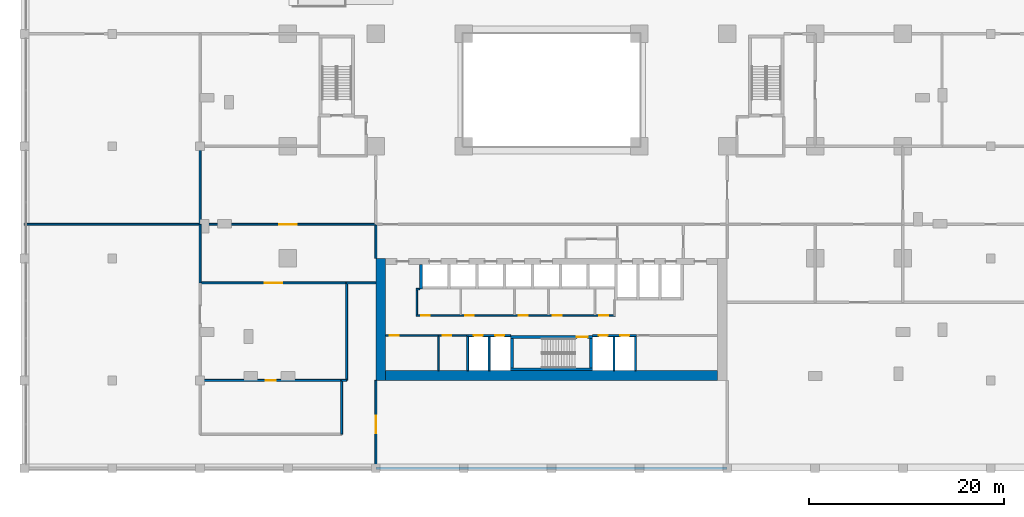
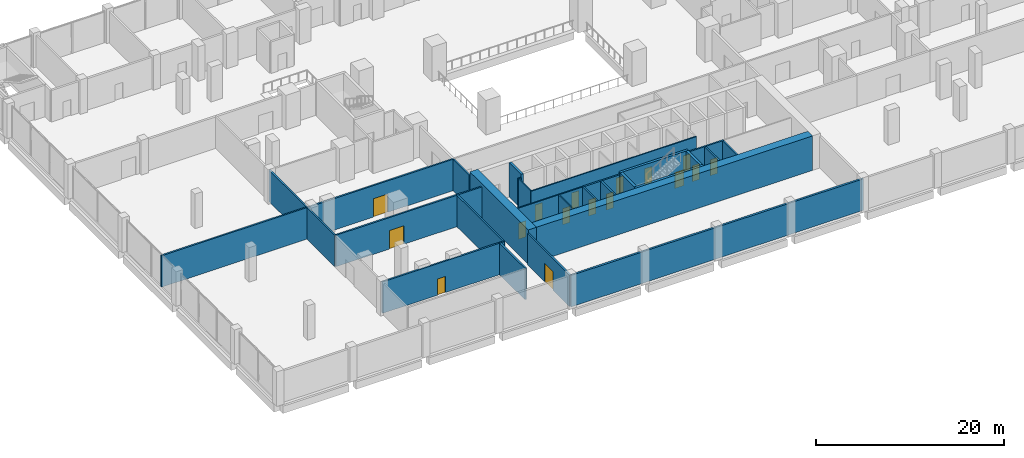
# One storey, part 15 of 22: 31 walls, 16 doors, 16 openings.
"""IFC4 building model written with IfcOpenShell, lengths in metres."""

from ifc_helpers import new_model, si_unit, direction, frame, frame_2d, origin, origin_with_axes, place, context, subcontext, project, spatial, rectangle, extrude, material, layer, layer_set, type_object, element, fill, save


model = new_model("IFC4")

# Units and contexts
model_context = context("Model", 3, precision=1e-05, world=origin(), true_north=direction((0.0, 1.0)))
body_context = subcontext(model_context, "Body", "Model", "MODEL_VIEW")
ifc_project = project(units=[si_unit("LENGTHUNIT", "METRE"), si_unit("AREAUNIT", "SQUARE_METRE"), si_unit("VOLUMEUNIT", "CUBIC_METRE"), si_unit("PLANEANGLEUNIT", "RADIAN"), si_unit("MASSUNIT", "GRAM", prefix="KILO")], contexts=[model_context])

# Site, building, storey
site_placement = place(None, origin())
site = spatial("IfcSite", under=ifc_project, at=site_placement, CompositionType="ELEMENT")
building_placement = place(site_placement, origin())
building = spatial("IfcBuilding", under=site, at=building_placement, Name="Brigalow Station Residences", CompositionType="ELEMENT")
storey_placement = place(building_placement, frame((0.0, 0.0, 6.5)))
storey = spatial("IfcBuildingStorey", under=building, at=storey_placement, Name="L01", CompositionType="ELEMENT", Elevation=6.5)

# Walls
ifc_material_1 = material(Name="Concrete C80", Category="concrete")
ifc_layer_1 = layer(ifc_material_1, 1.0)
ifc_layer_set_1 = layer_set([ifc_layer_1], Name="CORE SHEAR WALL 1000 C80")
wall_type_1 = type_object("IfcWallType", Name="CORE SHEAR WALL 1000 C80", PredefinedType="SHEAR", material=ifc_layer_set_1)
wall_1_placement = place(storey_placement, frame((18.5, 0.0, 0.0), z_axis=(0.0, 0.0, 1.0), x_axis=(0.0, 1.0, 0.0)))
element("IfcWall", 1, at=wall_1_placement, inside=storey, type_object=wall_type_1, Name="CORE WALL OUT-W L01", PredefinedType="SHEAR", context=body_context, shape_type="SweptSolid", body=[
    extrude(rectangle(XDim=12.5, YDim=1.0, at=frame_2d((6.25, 0.0))), origin(), (0.0, 0.0, 1.0), 4.5),
])
wall_2_placement = place(storey_placement, frame((19.0, 0.5, 0.0), z_axis=(0.0, 0.0, 1.0), x_axis=(1.0, 0.0, 0.0)))
element("IfcWall", 2, at=wall_2_placement, inside=storey, type_object=wall_type_1, Name="CORE WALL OUT-S L01", PredefinedType="SHEAR", context=body_context, shape_type="SweptSolid", body=[
    extrude(rectangle(XDim=34.0, YDim=1.0, at=frame_2d((17.0, 0.0))), origin(), (0.0, 0.0, 1.0), 4.5),
])
ifc_material_2 = material(Name="Concrete C80", Category="concrete")
ifc_layer_2 = layer(ifc_material_2, 0.300048828125)
ifc_layer_set_2 = layer_set([ifc_layer_2], Name="CORE SHEAR WALL 300 C80")
wall_type_2 = type_object("IfcWallType", Name="CORE SHEAR WALL 300 C80", PredefinedType="SHEAR", material=ifc_layer_set_2)
wall_3_placement = place(storey_placement, frame((22.64990234375, 9.35009765625, 0.0), z_axis=(0.0, 0.0, 1.0), x_axis=(0.0, 1.0, 0.0)))
element("IfcWall", 3, at=wall_3_placement, inside=storey, type_object=wall_type_2, Name="CORE WALL SH-P1-W L01", PredefinedType="SHEAR", context=body_context, shape_type="SweptSolid", body=[
    extrude(rectangle(XDim=2.5498046875, YDim=0.300048828125, at=frame_2d((1.27490234375, 0.0))), origin(), (0.0, 0.0, 1.0), 4.5),
])
wall_4_placement = place(storey_placement, frame((31.800048828125, 1.14990234375, 0.0), z_axis=(0.0, 0.0, 1.0), x_axis=(1.0, 0.0, 0.0)))
element("IfcWall", 4, at=wall_4_placement, inside=storey, type_object=wall_type_2, Name="CORE WALL ST-S2-S L01", PredefinedType="SHEAR", context=body_context, shape_type="SweptSolid", body=[
    extrude(rectangle(XDim=8.39990234375, YDim=0.300048828125, at=frame_2d((4.199951171875, 0.0))), origin(), (0.0, 0.0, 1.0), 4.5),
])

# Wall, opening, door
wall_5_placement = place(storey_placement, frame((31.800048828125, 4.449951171875, 0.0), z_axis=(0.0, 0.0, 1.0), x_axis=(1.0, 0.0, 0.0)))
wall_5 = element("IfcWall", 5, at=wall_5_placement, inside=storey, type_object=wall_type_2, Name="CORE WALL ST-S2-N L01", PredefinedType="SHEAR", context=body_context, shape_type="SweptSolid", body=[
    extrude(rectangle(XDim=8.39990234375, YDim=0.300048828125, at=frame_2d((4.199951171875, 0.0))), origin(), (0.0, 0.0, 1.0), 4.5),
])
opening_1_placement = place(wall_5_placement, frame((6.800048828125, 0.0, 0.0)))
opening_1 = element("IfcOpeningElement", 6, at=opening_1_placement, cuts=wall_5, Name="Opening D-5001", PredefinedType="OPENING", context=body_context, shape_type="SweptSolid", body=[
    extrude(rectangle(XDim=1.10009765625, YDim=2.10009765625, at=frame_2d((0.550048828125, 1.050048828125))), frame((0.0, 0.16015625, 0.0), z_axis=(0.0, -1.0, 0.0), x_axis=(1.0, 0.0, 0.0)), (0.0, 0.0, 1.0), 0.320068359375),
])
ifc_material_3 = material(Name="Steel fire door leaf in steel frame", Category="steel")
door_type_1 = type_object("IfcDoorType", Name="STAIR DOOR 1100 x 2100 FD60S", OperationType="SINGLE_SWING_LEFT", PredefinedType="DOOR", material=ifc_material_3)
door_1_placement = place(opening_1_placement, frame((1.10009765625, 0.0, 0.0), z_axis=(0.0, 0.0, 1.0), x_axis=(-1.0, 0.0, 0.0)))
door_1 = element("IfcDoor", 7, at=door_1_placement, inside=storey, type_object=door_type_1, Name="D-5001", OperationType="SINGLE_SWING_LEFT", OverallHeight=2.10009765625, OverallWidth=1.10009765625, PredefinedType="DOOR", context=body_context, shape_type="SweptSolid", body=[
    extrude(rectangle(XDim=1.10009765625, YDim=2.10009765625, at=frame_2d((0.550048828125, 1.050048828125))), frame((0.0, 0.02490234375, 0.0), z_axis=(0.0, -1.0, 0.0), x_axis=(1.0, 0.0, 0.0)), (0.0, 0.0, 1.0), 0.050048828125),
])
fill(opening_1, door_1)

# Walls
for number, where, z_axis, x_axis, name in (
    (8, (31.949951171875, 1.300048828125, 0.0), (0.0, 0.0, 1.0), (0.0, 1.0, 0.0), "CORE WALL ST-S2-W L01"),
    (9, (40.050048828125, 1.300048828125, 0.0), (0.0, 0.0, 1.0), (0.0, 1.0, 0.0), "CORE WALL ST-S2-E L01"),
):
    element("IfcWall", number, at=place(storey_placement, frame(where, z_axis=z_axis, x_axis=x_axis)), inside=storey, type_object=wall_type_2, Name=name, PredefinedType="SHEAR", context=body_context, shape_type="SweptSolid", body=[
        extrude(rectangle(XDim=3.0, YDim=0.300048828125, at=frame_2d((1.5, 0.0))), origin(), (0.0, 0.0, 1.0), 4.5),
    ])
ifc_material_4 = material(Name="Fire-rated plasterboard on steel studs", Category="steel")
ifc_layer_3 = layer(ifc_material_4, 0.25)
ifc_layer_set_3 = layer_set([ifc_layer_3], Name="FIRE PARTITION 250")
wall_type_3 = type_object("IfcWallType", Name="FIRE PARTITION 250", PredefinedType="PARTITIONING", material=ifc_layer_set_3)
wall_6_placement = place(storey_placement, frame((18.0, -9.0, 0.0), z_axis=(0.0, 0.0, 1.0), x_axis=(1.0, 0.0, 0.0)))
element("IfcWall", 10, at=wall_6_placement, inside=storey, type_object=wall_type_3, Name="Fire Partition 250 Residents' Storage Room / OUT", PredefinedType="PARTITIONING", context=body_context, shape_type="SweptSolid", body=[
    extrude(rectangle(XDim=36.0, YDim=0.25, at=frame_2d((18.0, 0.0))), origin(), (0.0, 0.0, 1.0), 4.097900390625),
])

# Wall, openings, doors
ifc_material_5 = material(Name="Concrete blockwork", Category="masonry")
ifc_layer_4 = layer(ifc_material_5, 0.199951171875)
ifc_layer_set_4 = layer_set([ifc_layer_4], Name="FIRE RATED CORE PARTITION 200")
wall_type_4 = type_object("IfcWallType", Name="FIRE RATED CORE PARTITION 200", PredefinedType="PARTITIONING", material=ifc_layer_set_4)
wall_7_placement = place(storey_placement, frame((27.300048828125, 4.60009765625, 0.0), z_axis=(0.0, 0.0, 1.0), x_axis=(1.0, 0.0, 0.0)))
wall_7 = element("IfcWall", 11, at=wall_7_placement, inside=storey, type_object=wall_type_4, Name="PW-5017", PredefinedType="PARTITIONING", context=body_context, shape_type="SweptSolid", body=[
    extrude(rectangle(XDim=4.5, YDim=0.199951171875, at=frame_2d((2.25, 0.0))), origin(), (0.0, 0.0, 1.0), 4.097900390625),
])
opening_2_placement = place(wall_7_placement, frame((0.75, 0.0, 0.0)))
opening_2 = element("IfcOpeningElement", 12, at=opening_2_placement, cuts=wall_7, Name="Opening D-5007", PredefinedType="OPENING", context=body_context, shape_type="SweptSolid", body=[
    extrude(rectangle(XDim=0.89990234375, YDim=2.10009765625, at=frame_2d((0.449951171875, 1.050048828125))), frame((0.0, 0.10986328125, 0.0), z_axis=(0.0, -1.0, 0.0), x_axis=(1.0, 0.0, 0.0)), (0.0, 0.0, 1.0), 0.219970703125),
])
opening_3_placement = place(wall_7_placement, frame((2.949951171875, 0.0, 0.0)))
opening_3 = element("IfcOpeningElement", 13, at=opening_3_placement, cuts=wall_7, Name="Opening D-5008", PredefinedType="OPENING", context=body_context, shape_type="SweptSolid", body=[
    extrude(rectangle(XDim=0.89990234375, YDim=2.10009765625, at=frame_2d((0.449951171875, 1.050048828125))), frame((0.0, 0.10986328125, 0.0), z_axis=(0.0, -1.0, 0.0), x_axis=(1.0, 0.0, 0.0)), (0.0, 0.0, 1.0), 0.219970703125),
])
ifc_material_6 = material(Name="Steel fire door leaf in steel frame", Category="steel")
door_type_2 = type_object("IfcDoorType", Name="RISER ACCESS DOOR 900 x 2100 FD120", OperationType="SINGLE_SWING_LEFT", PredefinedType="DOOR", material=ifc_material_6)
door_2_placement = place(opening_2_placement, frame((0.89990234375, 0.0, 0.0), z_axis=(0.0, 0.0, 1.0), x_axis=(-1.0, 0.0, 0.0)))
door_2 = element("IfcDoor", 14, at=door_2_placement, inside=storey, type_object=door_type_2, Name="D-5007", OperationType="SINGLE_SWING_RIGHT", OverallHeight=2.10009765625, OverallWidth=0.89990234375, PredefinedType="DOOR", context=body_context, shape_type="SweptSolid", body=[
    extrude(rectangle(XDim=0.89990234375, YDim=2.10009765625, at=frame_2d((0.449951171875, 1.050048828125))), frame((0.0, 0.02490234375, 0.0), z_axis=(0.0, -1.0, 0.0), x_axis=(1.0, 0.0, 0.0)), (0.0, 0.0, 1.0), 0.050048828125),
])
fill(opening_2, door_2)
door_3_placement = place(opening_3_placement, frame((0.89990234375, 0.0, 0.0), z_axis=(0.0, 0.0, 1.0), x_axis=(-1.0, 0.0, 0.0)))
door_3 = element("IfcDoor", 15, at=door_3_placement, inside=storey, type_object=door_type_2, Name="D-5008", OperationType="SINGLE_SWING_RIGHT", OverallHeight=2.10009765625, OverallWidth=0.89990234375, PredefinedType="DOOR", context=body_context, shape_type="SweptSolid", body=[
    extrude(rectangle(XDim=0.89990234375, YDim=2.10009765625, at=frame_2d((0.449951171875, 1.050048828125))), frame((0.0, 0.02490234375, 0.0), z_axis=(0.0, -1.0, 0.0), x_axis=(1.0, 0.0, 0.0)), (0.0, 0.0, 1.0), 0.050048828125),
])
fill(opening_3, door_3)

wall_8_placement = place(storey_placement, frame((40.199951171875, 4.60009765625, 0.0), z_axis=(0.0, 0.0, 1.0), x_axis=(1.0, 0.0, 0.0)))
wall_8 = element("IfcWall", 16, at=wall_8_placement, inside=storey, type_object=wall_type_4, Name="PW-5018", PredefinedType="PARTITIONING", context=body_context, shape_type="SweptSolid", body=[
    extrude(rectangle(XDim=4.5, YDim=0.199951171875, at=frame_2d((2.25, 0.0))), origin(), (0.0, 0.0, 1.0), 4.097900390625),
])
opening_4_placement = place(wall_8_placement, frame((0.64990234375, 0.0, 0.0)))
opening_4 = element("IfcOpeningElement", 17, at=opening_4_placement, cuts=wall_8, Name="Opening D-5009", PredefinedType="OPENING", context=body_context, shape_type="SweptSolid", body=[
    extrude(rectangle(XDim=0.89990234375, YDim=2.10009765625, at=frame_2d((0.449951171875, 1.050048828125))), frame((0.0, 0.10986328125, 0.0), z_axis=(0.0, -1.0, 0.0), x_axis=(1.0, 0.0, 0.0)), (0.0, 0.0, 1.0), 0.219970703125),
])
opening_5_placement = place(wall_8_placement, frame((2.85009765625, 0.0, 0.0)))
opening_5 = element("IfcOpeningElement", 18, at=opening_5_placement, cuts=wall_8, Name="Opening D-5010", PredefinedType="OPENING", context=body_context, shape_type="SweptSolid", body=[
    extrude(rectangle(XDim=0.89990234375, YDim=2.10009765625, at=frame_2d((0.449951171875, 1.050048828125))), frame((0.0, 0.10986328125, 0.0), z_axis=(0.0, -1.0, 0.0), x_axis=(1.0, 0.0, 0.0)), (0.0, 0.0, 1.0), 0.219970703125),
])
door_4_placement = place(opening_4_placement, frame((0.89990234375, 0.0, 0.0), z_axis=(0.0, 0.0, 1.0), x_axis=(-1.0, 0.0, 0.0)))
door_4 = element("IfcDoor", 19, at=door_4_placement, inside=storey, type_object=door_type_2, Name="D-5009", OperationType="SINGLE_SWING_LEFT", OverallHeight=2.10009765625, OverallWidth=0.89990234375, PredefinedType="DOOR", context=body_context, shape_type="SweptSolid", body=[
    extrude(rectangle(XDim=0.89990234375, YDim=2.10009765625, at=frame_2d((0.449951171875, 1.050048828125))), frame((0.0, 0.02490234375, 0.0), z_axis=(0.0, -1.0, 0.0), x_axis=(1.0, 0.0, 0.0)), (0.0, 0.0, 1.0), 0.050048828125),
])
fill(opening_4, door_4)
door_5_placement = place(opening_5_placement, frame((0.89990234375, 0.0, 0.0), z_axis=(0.0, 0.0, 1.0), x_axis=(-1.0, 0.0, 0.0)))
door_5 = element("IfcDoor", 20, at=door_5_placement, inside=storey, type_object=door_type_2, Name="D-5010", OperationType="SINGLE_SWING_LEFT", OverallHeight=2.10009765625, OverallWidth=0.89990234375, PredefinedType="DOOR", context=body_context, shape_type="SweptSolid", body=[
    extrude(rectangle(XDim=0.89990234375, YDim=2.10009765625, at=frame_2d((0.449951171875, 1.050048828125))), frame((0.0, 0.02490234375, 0.0), z_axis=(0.0, -1.0, 0.0), x_axis=(1.0, 0.0, 0.0)), (0.0, 0.0, 1.0), 0.050048828125),
])
fill(opening_5, door_5)

# Walls
wall_9_placement = place(storey_placement, frame((27.39990234375, 1.0, 0.0), z_axis=(0.0, 0.0, 1.0), x_axis=(0.0, 1.0, 0.0)))
element("IfcWall", 21, at=wall_9_placement, inside=storey, type_object=wall_type_4, Name="PW-5027", PredefinedType="PARTITIONING", context=body_context, shape_type="SweptSolid", body=[
    extrude(rectangle(XDim=3.52490234375, YDim=0.199951171875, at=frame_2d((1.762451171875, 0.0))), origin(), (0.0, 0.0, 1.0), 4.097900390625),
])
for number, where, z_axis, x_axis, name in (
    (22, (29.60009765625, 1.0, 0.0), (0.0, 0.0, 1.0), (0.0, 1.0, 0.0), "PW-5006"),
    (23, (42.39990234375, 1.0, 0.0), (0.0, 0.0, 1.0), (0.0, 1.0, 0.0), "PW-5007"),
    (24, (44.60009765625, 1.0, 0.0), (0.0, 0.0, 1.0), (0.0, 1.0, 0.0), "PW-5008"),
):
    element("IfcWall", number, at=place(storey_placement, frame(where, z_axis=z_axis, x_axis=x_axis)), inside=storey, type_object=wall_type_4, Name=name, PredefinedType="PARTITIONING", context=body_context, shape_type="SweptSolid", body=[
        extrude(rectangle(XDim=3.5, YDim=0.199951171875, at=frame_2d((1.75, 0.0))), origin(), (0.0, 0.0, 1.0), 4.097900390625),
    ])
wall_10_placement = place(storey_placement, frame((18.0, 12.5, 0.0), z_axis=(0.0, 0.0, 1.0), x_axis=(0.0, 1.0, 0.0)))
element("IfcWall", 25, at=wall_10_placement, inside=storey, type_object=wall_type_4, Name="PW-5013", PredefinedType="PARTITIONING", context=body_context, shape_type="SweptSolid", body=[
    extrude(rectangle(XDim=3.39990234375, YDim=0.199951171875, at=frame_2d((1.699951171875, 0.0))), origin(), (0.0, 0.0, 1.0), 4.097900390625),
])
ifc_material_7 = material(Name="Plasterboard on steel studs with acoustic insulation", Category="steel")
ifc_layer_5 = layer(ifc_material_7, 0.199951171875)
ifc_layer_set_5 = layer_set([ifc_layer_5], Name="PARTITION 200")
wall_type_5 = type_object("IfcWallType", Name="PARTITION 200", PredefinedType="PARTITIONING", material=ifc_layer_set_5)
wall_11_placement = place(storey_placement, frame((0.0, 16.0, 0.0), z_axis=(0.0, 0.0, 1.0), x_axis=(0.0, 1.0, 0.0)))
element("IfcWall", 26, at=wall_11_placement, inside=storey, type_object=wall_type_5, Name="Partition 200 Residents' Lounge / Residents' Co-Working Space", PredefinedType="PARTITIONING", context=body_context, shape_type="SweptSolid", body=[
    extrude(rectangle(XDim=8.0, YDim=0.199951171875, at=frame_2d((4.0, 0.0))), origin(), (0.0, 0.0, 1.0), 4.097900390625),
])

# Wall, opening, door
wall_12_placement = place(storey_placement, frame((0.0, 16.0, 0.0), z_axis=(0.0, 0.0, 1.0), x_axis=(1.0, 0.0, 0.0)))
wall_12 = element("IfcWall", 27, at=wall_12_placement, inside=storey, type_object=wall_type_5, Name="Partition 200 Residents' Lounge / Private Dining Room", PredefinedType="PARTITIONING", context=body_context, shape_type="SweptSolid", body=[
    extrude(rectangle(XDim=18.0, YDim=0.199951171875, at=frame_2d((9.0, 0.0))), origin(), (0.0, 0.0, 1.0), 4.097900390625),
])
opening_6_placement = place(wall_12_placement, frame((8.10009765625, 0.0, 0.0)))
opening_6 = element("IfcOpeningElement", 28, at=opening_6_placement, cuts=wall_12, Name="Opening D-7323", PredefinedType="OPENING", context=body_context, shape_type="SweptSolid", body=[
    extrude(rectangle(XDim=1.800048828125, YDim=2.39990234375, at=frame_2d((0.89990234375, 1.199951171875))), frame((0.0, 0.10986328125, 0.0), z_axis=(0.0, -1.0, 0.0), x_axis=(1.0, 0.0, 0.0)), (0.0, 0.0, 1.0), 0.219970703125),
])
ifc_material_8 = material(Name="Timber door leaves in steel frame", Category="steel")
door_type_3 = type_object("IfcDoorType", Name="DOOR DOUBLE 1800", OperationType="DOUBLE_DOOR_SINGLE_SWING", PredefinedType="DOOR", material=ifc_material_8)
door_6_placement = place(opening_6_placement, frame((1.800048828125, 0.0, 0.0), z_axis=(0.0, 0.0, 1.0), x_axis=(-1.0, 0.0, 0.0)))
door_6 = element("IfcDoor", 29, at=door_6_placement, inside=storey, type_object=door_type_3, Name="Private dining room door", OperationType="DOUBLE_DOOR_SINGLE_SWING", OverallHeight=2.39990234375, OverallWidth=1.800048828125, PredefinedType="DOOR", context=body_context, shape_type="SweptSolid", body=[
    extrude(rectangle(XDim=1.800048828125, YDim=2.39990234375, at=frame_2d((0.89990234375, 1.199951171875))), frame((0.0, 0.02490234375, 0.0), z_axis=(0.0, -1.0, 0.0), x_axis=(1.0, 0.0, 0.0)), (0.0, 0.0, 1.0), 0.050048828125),
])
fill(opening_6, door_6)

# Wall
wall_13_placement = place(storey_placement, frame((-18.0, 16.0, 0.0), z_axis=(0.0, 0.0, 1.0), x_axis=(1.0, 0.0, 0.0)))
element("IfcWall", 30, at=wall_13_placement, inside=storey, type_object=wall_type_5, Name="Partition 200 Residents' Co-Working Space / Residents' Storage Room", PredefinedType="PARTITIONING", context=body_context, shape_type="SweptSolid", body=[
    extrude(rectangle(XDim=18.0, YDim=0.199951171875, at=frame_2d((9.0, 0.0))), origin(), (0.0, 0.0, 1.0), 4.097900390625),
])

# Wall, opening, door
wall_14_placement = place(storey_placement, frame((0.0, 10.0, 0.0), z_axis=(0.0, 0.0, 1.0), x_axis=(1.0, 0.0, 0.0)))
wall_14 = element("IfcWall", 31, at=wall_14_placement, inside=storey, type_object=wall_type_5, Name="Partition 200 Private Dining Room / Catering Kitchen", PredefinedType="PARTITIONING", context=body_context, shape_type="SweptSolid", body=[
    extrude(rectangle(XDim=15.0, YDim=0.199951171875, at=frame_2d((7.5, 0.0))), origin(), (0.0, 0.0, 1.0), 4.097900390625),
])
opening_7_placement = place(wall_14_placement, frame((6.60009765625, 0.0, 0.0)))
opening_7 = element("IfcOpeningElement", 32, at=opening_7_placement, cuts=wall_14, Name="Opening D-7324", PredefinedType="OPENING", context=body_context, shape_type="SweptSolid", body=[
    extrude(rectangle(XDim=1.800048828125, YDim=2.39990234375, at=frame_2d((0.89990234375, 1.199951171875))), frame((0.0, 0.10986328125, 0.0), z_axis=(0.0, -1.0, 0.0), x_axis=(1.0, 0.0, 0.0)), (0.0, 0.0, 1.0), 0.219970703125),
])
door_7_placement = place(opening_7_placement, origin())
door_7 = element("IfcDoor", 33, at=door_7_placement, inside=storey, type_object=door_type_3, Name="Catering kitchen door", OperationType="DOUBLE_DOOR_SINGLE_SWING", OverallHeight=2.39990234375, OverallWidth=1.800048828125, PredefinedType="DOOR", context=body_context, shape_type="SweptSolid", body=[
    extrude(rectangle(XDim=1.800048828125, YDim=2.39990234375, at=frame_2d((0.89990234375, 1.199951171875))), frame((0.0, 0.02490234375, 0.0), z_axis=(0.0, -1.0, 0.0), x_axis=(1.0, 0.0, 0.0)), (0.0, 0.0, 1.0), 0.050048828125),
])
fill(opening_7, door_7)

# Walls
wall_15_placement = place(storey_placement, frame((15.0, 10.0, 0.0), z_axis=(0.0, 0.0, 1.0), x_axis=(1.0, 0.0, 0.0)))
element("IfcWall", 34, at=wall_15_placement, inside=storey, type_object=wall_type_5, Name="Partition 200 Private Dining Room / Residents' Storage Room", PredefinedType="PARTITIONING", context=body_context, shape_type="SweptSolid", body=[
    extrude(rectangle(XDim=3.0, YDim=0.199951171875, at=frame_2d((1.5, 0.0))), origin(), (0.0, 0.0, 1.0), 4.097900390625),
])
wall_16_placement = place(storey_placement, frame((0.0, 10.0, 0.0), z_axis=(0.0, 0.0, 1.0), x_axis=(0.0, 1.0, 0.0)))
element("IfcWall", 35, at=wall_16_placement, inside=storey, type_object=wall_type_5, Name="Partition 200 Private Dining Room / Residents' Storage Room", PredefinedType="PARTITIONING", context=body_context, shape_type="SweptSolid", body=[
    extrude(rectangle(XDim=6.0, YDim=0.199951171875, at=frame_2d((3.0, 0.0))), origin(), (0.0, 0.0, 1.0), 4.097900390625),
])

# Wall, opening, door
wall_17_placement = place(storey_placement, origin_with_axes())
wall_17 = element("IfcWall", 36, at=wall_17_placement, inside=storey, type_object=wall_type_5, Name="Partition 200 Catering Kitchen / Wine Room", PredefinedType="PARTITIONING", context=body_context, shape_type="SweptSolid", body=[
    extrude(rectangle(XDim=14.5, YDim=0.199951171875, at=frame_2d((7.25, 0.0))), origin(), (0.0, 0.0, 1.0), 4.097900390625),
])
opening_8_placement = place(wall_17_placement, frame((6.75, 0.0, 0.0)))
opening_8 = element("IfcOpeningElement", 37, at=opening_8_placement, cuts=wall_17, Name="Opening D-7325", PredefinedType="OPENING", context=body_context, shape_type="SweptSolid", body=[
    extrude(rectangle(XDim=1.0, YDim=2.10009765625, at=frame_2d((0.5, 1.050048828125))), frame((0.0, 0.10986328125, 0.0), z_axis=(0.0, -1.0, 0.0), x_axis=(1.0, 0.0, 0.0)), (0.0, 0.0, 1.0), 0.219970703125),
])
ifc_material_9 = material(Name="Timber door leaf in steel frame", Category="steel")
door_type_4 = type_object("IfcDoorType", Name="DOOR SINGLE 1000", OperationType="SINGLE_SWING_LEFT", PredefinedType="DOOR", material=ifc_material_9)
door_8_placement = place(opening_8_placement, frame((1.0, 0.0, 0.0), z_axis=(0.0, 0.0, 1.0), x_axis=(-1.0, 0.0, 0.0)))
door_8 = element("IfcDoor", 38, at=door_8_placement, inside=storey, type_object=door_type_4, Name="Wine room door", OperationType="SINGLE_SWING_RIGHT", OverallHeight=2.10009765625, OverallWidth=1.0, PredefinedType="DOOR", context=body_context, shape_type="SweptSolid", body=[
    extrude(rectangle(XDim=1.0, YDim=2.10009765625, at=frame_2d((0.5, 1.050048828125))), frame((0.0, 0.02490234375, 0.0), z_axis=(0.0, -1.0, 0.0), x_axis=(1.0, 0.0, 0.0)), (0.0, 0.0, 1.0), 0.050048828125),
])
fill(opening_8, door_8)

# Walls
wall_18_placement = place(storey_placement, frame((14.5, 0.0, 0.0), z_axis=(0.0, 0.0, 1.0), x_axis=(1.0, 0.0, 0.0)))
element("IfcWall", 39, at=wall_18_placement, inside=storey, type_object=wall_type_5, Name="Partition 200 Catering Kitchen / Residents' Storage Room", PredefinedType="PARTITIONING", context=body_context, shape_type="SweptSolid", body=[
    extrude(rectangle(XDim=0.5, YDim=0.199951171875, at=frame_2d((0.25, 0.0))), origin(), (0.0, 0.0, 1.0), 4.097900390625),
])
wall_19_placement = place(storey_placement, frame((15.0, 0.0, 0.0), z_axis=(0.0, 0.0, 1.0), x_axis=(0.0, 1.0, 0.0)))
element("IfcWall", 40, at=wall_19_placement, inside=storey, type_object=wall_type_5, Name="Partition 200 Catering Kitchen / Residents' Storage Room", PredefinedType="PARTITIONING", context=body_context, shape_type="SweptSolid", body=[
    extrude(rectangle(XDim=10.0, YDim=0.199951171875, at=frame_2d((5.0, 0.0))), origin(), (0.0, 0.0, 1.0), 4.097900390625),
])
wall_20_placement = place(storey_placement, frame((14.5, -5.5, 0.0), z_axis=(0.0, 0.0, 1.0), x_axis=(0.0, 1.0, 0.0)))
element("IfcWall", 41, at=wall_20_placement, inside=storey, type_object=wall_type_5, Name="Partition 200 Wine Room / Residents' Storage Room", PredefinedType="PARTITIONING", context=body_context, shape_type="SweptSolid", body=[
    extrude(rectangle(XDim=5.5, YDim=0.199951171875, at=frame_2d((2.75, 0.0))), origin(), (0.0, 0.0, 1.0), 4.097900390625),
])

# Wall, opening, door
wall_21_placement = place(storey_placement, frame((18.0, -9.0, 0.0), z_axis=(0.0, 0.0, 1.0), x_axis=(0.0, 1.0, 0.0)))
wall_21 = element("IfcWall", 42, at=wall_21_placement, inside=storey, type_object=wall_type_5, Name="Partition 200 Residents' Storage Room / Residents' Storage Room", PredefinedType="PARTITIONING", context=body_context, shape_type="SweptSolid", body=[
    extrude(rectangle(XDim=9.0, YDim=0.199951171875, at=frame_2d((4.5, 0.0))), origin(), (0.0, 0.0, 1.0), 4.097900390625),
])
opening_9_placement = place(wall_21_placement, frame((3.60009765625, 0.0, 0.0)))
opening_9 = element("IfcOpeningElement", 43, at=opening_9_placement, cuts=wall_21, Name="Opening D-7327", PredefinedType="OPENING", context=body_context, shape_type="SweptSolid", body=[
    extrude(rectangle(XDim=1.800048828125, YDim=2.39990234375, at=frame_2d((0.89990234375, 1.199951171875))), frame((0.0, 0.10986328125, 0.0), z_axis=(0.0, -1.0, 0.0), x_axis=(1.0, 0.0, 0.0)), (0.0, 0.0, 1.0), 0.219970703125),
])
door_9_placement = place(opening_9_placement, frame((1.800048828125, 0.0, 0.0), z_axis=(0.0, 0.0, 1.0), x_axis=(-1.0, 0.0, 0.0)))
door_9 = element("IfcDoor", 44, at=door_9_placement, inside=storey, type_object=door_type_3, Name="Residents' storage room door to west store", OperationType="DOUBLE_DOOR_SINGLE_SWING", OverallHeight=2.39990234375, OverallWidth=1.800048828125, PredefinedType="DOOR", context=body_context, shape_type="SweptSolid", body=[
    extrude(rectangle(XDim=1.800048828125, YDim=2.39990234375, at=frame_2d((0.89990234375, 1.199951171875))), frame((0.0, 0.02490234375, 0.0), z_axis=(0.0, -1.0, 0.0), x_axis=(1.0, 0.0, 0.0)), (0.0, 0.0, 1.0), 0.050048828125),
])
fill(opening_9, door_9)

# Wall, openings, doors
ifc_material_10 = material(Name="Plasterboard on steel studs", Category="steel")
ifc_layer_6 = layer(ifc_material_10, 0.14990234375)
ifc_layer_set_6 = layer_set([ifc_layer_6], Name="SERVICE ROOM PARTITION 150")
wall_type_6 = type_object("IfcWallType", Name="SERVICE ROOM PARTITION 150", PredefinedType="PARTITIONING", material=ifc_layer_set_6)
wall_22_placement = place(storey_placement, frame((19.0, 4.60009765625, 0.0), z_axis=(0.0, 0.0, 1.0), x_axis=(1.0, 0.0, 0.0)))
wall_22 = element("IfcWall", 45, at=wall_22_placement, inside=storey, type_object=wall_type_6, Name="PW-5019", PredefinedType="PARTITIONING", context=body_context, shape_type="SweptSolid", body=[
    extrude(rectangle(XDim=8.300048828125, YDim=0.14990234375, at=frame_2d((4.14990234375, 0.0))), origin(), (0.0, 0.0, 1.0), 4.097900390625),
])
opening_10_placement = place(wall_22_placement, frame((0.449951171875, 0.0, 0.0)))
opening_10 = element("IfcOpeningElement", 46, at=opening_10_placement, cuts=wall_22, Name="Opening D-5025", PredefinedType="OPENING", context=body_context, shape_type="SweptSolid", body=[
    extrude(rectangle(XDim=0.89990234375, YDim=2.10009765625, at=frame_2d((0.449951171875, 1.050048828125))), frame((0.0, 0.0849609375, 0.0), z_axis=(0.0, -1.0, 0.0), x_axis=(1.0, 0.0, 0.0)), (0.0, 0.0, 1.0), 0.169921875),
])
opening_11_placement = place(wall_22_placement, frame((5.85009765625, 0.0, 0.0)))
opening_11 = element("IfcOpeningElement", 47, at=opening_11_placement, cuts=wall_22, Name="Opening D-5035", PredefinedType="OPENING", context=body_context, shape_type="SweptSolid", body=[
    extrude(rectangle(XDim=0.89990234375, YDim=2.10009765625, at=frame_2d((0.449951171875, 1.050048828125))), frame((0.0, 0.0849609375, 0.0), z_axis=(0.0, -1.0, 0.0), x_axis=(1.0, 0.0, 0.0)), (0.0, 0.0, 1.0), 0.169921875),
])
ifc_material_11 = material(Name="Steel door leaf in steel frame", Category="steel")
door_type_5 = type_object("IfcDoorType", Name="SERVICE ROOM DOOR 900 x 2100 FD60", OperationType="SINGLE_SWING_LEFT", PredefinedType="DOOR", material=ifc_material_11)
door_10_placement = place(opening_10_placement, frame((0.89990234375, 0.0, 0.0), z_axis=(0.0, 0.0, 1.0), x_axis=(-1.0, 0.0, 0.0)))
door_10 = element("IfcDoor", 48, at=door_10_placement, inside=storey, type_object=door_type_5, Name="D-5025", OperationType="SINGLE_SWING_RIGHT", OverallHeight=2.10009765625, OverallWidth=0.89990234375, PredefinedType="DOOR", context=body_context, shape_type="SweptSolid", body=[
    extrude(rectangle(XDim=0.89990234375, YDim=2.10009765625, at=frame_2d((0.449951171875, 1.050048828125))), frame((0.0, 0.02490234375, 0.0), z_axis=(0.0, -1.0, 0.0), x_axis=(1.0, 0.0, 0.0)), (0.0, 0.0, 1.0), 0.050048828125),
])
fill(opening_10, door_10)
door_11_placement = place(opening_11_placement, frame((0.89990234375, 0.0, 0.0), z_axis=(0.0, 0.0, 1.0), x_axis=(-1.0, 0.0, 0.0)))
door_11 = element("IfcDoor", 49, at=door_11_placement, inside=storey, type_object=door_type_5, Name="D-5035", OperationType="SINGLE_SWING_RIGHT", OverallHeight=2.10009765625, OverallWidth=0.89990234375, PredefinedType="DOOR", context=body_context, shape_type="SweptSolid", body=[
    extrude(rectangle(XDim=0.89990234375, YDim=2.10009765625, at=frame_2d((0.449951171875, 1.050048828125))), frame((0.0, 0.02490234375, 0.0), z_axis=(0.0, -1.0, 0.0), x_axis=(1.0, 0.0, 0.0)), (0.0, 0.0, 1.0), 0.050048828125),
])
fill(opening_11, door_11)

wall_23_placement = place(storey_placement, frame((22.125, 6.64990234375, 0.0), z_axis=(0.0, 0.0, 1.0), x_axis=(1.0, 0.0, 0.0)))
wall_23 = element("IfcWall", 50, at=wall_23_placement, inside=storey, type_object=wall_type_6, Name="PW-5021", PredefinedType="PARTITIONING", context=body_context, shape_type="SweptSolid", body=[
    extrude(rectangle(XDim=20.39990234375, YDim=0.14990234375, at=frame_2d((10.199951171875, 0.0))), origin(), (0.0, 0.0, 1.0), 4.097900390625),
])
opening_12_placement = place(wall_23_placement, frame((0.52490234375, 0.0, 0.0)))
opening_12 = element("IfcOpeningElement", 51, at=opening_12_placement, cuts=wall_23, Name="Opening D-5021", PredefinedType="OPENING", context=body_context, shape_type="SweptSolid", body=[
    extrude(rectangle(XDim=0.89990234375, YDim=2.10009765625, at=frame_2d((0.449951171875, 1.050048828125))), frame((0.0, 0.0849609375, 0.0), z_axis=(0.0, -1.0, 0.0), x_axis=(1.0, 0.0, 0.0)), (0.0, 0.0, 1.0), 0.169921875),
])
opening_13_placement = place(wall_23_placement, frame((5.02490234375, 0.0, 0.0)))
opening_13 = element("IfcOpeningElement", 52, at=opening_13_placement, cuts=wall_23, Name="Opening D-5031", PredefinedType="OPENING", context=body_context, shape_type="SweptSolid", body=[
    extrude(rectangle(XDim=0.89990234375, YDim=2.10009765625, at=frame_2d((0.449951171875, 1.050048828125))), frame((0.0, 0.0849609375, 0.0), z_axis=(0.0, -1.0, 0.0), x_axis=(1.0, 0.0, 0.0)), (0.0, 0.0, 1.0), 0.169921875),
])
opening_14_placement = place(wall_23_placement, frame((10.52490234375, 0.0, 0.0)))
opening_14 = element("IfcOpeningElement", 53, at=opening_14_placement, cuts=wall_23, Name="Opening D-5032", PredefinedType="OPENING", context=body_context, shape_type="SweptSolid", body=[
    extrude(rectangle(XDim=0.89990234375, YDim=2.10009765625, at=frame_2d((0.449951171875, 1.050048828125))), frame((0.0, 0.0849609375, 0.0), z_axis=(0.0, -1.0, 0.0), x_axis=(1.0, 0.0, 0.0)), (0.0, 0.0, 1.0), 0.169921875),
])
opening_15_placement = place(wall_23_placement, frame((14.02490234375, 0.0, 0.0)))
opening_15 = element("IfcOpeningElement", 54, at=opening_15_placement, cuts=wall_23, Name="Opening D-5033", PredefinedType="OPENING", context=body_context, shape_type="SweptSolid", body=[
    extrude(rectangle(XDim=0.89990234375, YDim=2.10009765625, at=frame_2d((0.449951171875, 1.050048828125))), frame((0.0, 0.0849609375, 0.0), z_axis=(0.0, -1.0, 0.0), x_axis=(1.0, 0.0, 0.0)), (0.0, 0.0, 1.0), 0.169921875),
])
opening_16_placement = place(wall_23_placement, frame((18.77490234375, 0.0, 0.0)))
opening_16 = element("IfcOpeningElement", 55, at=opening_16_placement, cuts=wall_23, Name="Opening D-5034", PredefinedType="OPENING", context=body_context, shape_type="SweptSolid", body=[
    extrude(rectangle(XDim=0.89990234375, YDim=2.10009765625, at=frame_2d((0.449951171875, 1.050048828125))), frame((0.0, 0.0849609375, 0.0), z_axis=(0.0, -1.0, 0.0), x_axis=(1.0, 0.0, 0.0)), (0.0, 0.0, 1.0), 0.169921875),
])
door_12_placement = place(opening_12_placement, origin())
door_12 = element("IfcDoor", 56, at=door_12_placement, inside=storey, type_object=door_type_5, Name="D-5021", OperationType="SINGLE_SWING_LEFT", OverallHeight=2.10009765625, OverallWidth=0.89990234375, PredefinedType="DOOR", context=body_context, shape_type="SweptSolid", body=[
    extrude(rectangle(XDim=0.89990234375, YDim=2.10009765625, at=frame_2d((0.449951171875, 1.050048828125))), frame((0.0, 0.02490234375, 0.0), z_axis=(0.0, -1.0, 0.0), x_axis=(1.0, 0.0, 0.0)), (0.0, 0.0, 1.0), 0.050048828125),
])
fill(opening_12, door_12)
door_13_placement = place(opening_13_placement, origin())
door_13 = element("IfcDoor", 57, at=door_13_placement, inside=storey, type_object=door_type_5, Name="D-5031", OperationType="SINGLE_SWING_LEFT", OverallHeight=2.10009765625, OverallWidth=0.89990234375, PredefinedType="DOOR", context=body_context, shape_type="SweptSolid", body=[
    extrude(rectangle(XDim=0.89990234375, YDim=2.10009765625, at=frame_2d((0.449951171875, 1.050048828125))), frame((0.0, 0.02490234375, 0.0), z_axis=(0.0, -1.0, 0.0), x_axis=(1.0, 0.0, 0.0)), (0.0, 0.0, 1.0), 0.050048828125),
])
fill(opening_13, door_13)
door_14_placement = place(opening_14_placement, origin())
door_14 = element("IfcDoor", 58, at=door_14_placement, inside=storey, type_object=door_type_5, Name="D-5032", OperationType="SINGLE_SWING_LEFT", OverallHeight=2.10009765625, OverallWidth=0.89990234375, PredefinedType="DOOR", context=body_context, shape_type="SweptSolid", body=[
    extrude(rectangle(XDim=0.89990234375, YDim=2.10009765625, at=frame_2d((0.449951171875, 1.050048828125))), frame((0.0, 0.02490234375, 0.0), z_axis=(0.0, -1.0, 0.0), x_axis=(1.0, 0.0, 0.0)), (0.0, 0.0, 1.0), 0.050048828125),
])
fill(opening_14, door_14)
door_15_placement = place(opening_15_placement, origin())
door_15 = element("IfcDoor", 59, at=door_15_placement, inside=storey, type_object=door_type_5, Name="D-5033", OperationType="SINGLE_SWING_LEFT", OverallHeight=2.10009765625, OverallWidth=0.89990234375, PredefinedType="DOOR", context=body_context, shape_type="SweptSolid", body=[
    extrude(rectangle(XDim=0.89990234375, YDim=2.10009765625, at=frame_2d((0.449951171875, 1.050048828125))), frame((0.0, 0.02490234375, 0.0), z_axis=(0.0, -1.0, 0.0), x_axis=(1.0, 0.0, 0.0)), (0.0, 0.0, 1.0), 0.050048828125),
])
fill(opening_15, door_15)
door_16_placement = place(opening_16_placement, origin())
door_16 = element("IfcDoor", 60, at=door_16_placement, inside=storey, type_object=door_type_5, Name="D-5034", OperationType="SINGLE_SWING_LEFT", OverallHeight=2.10009765625, OverallWidth=0.89990234375, PredefinedType="DOOR", context=body_context, shape_type="SweptSolid", body=[
    extrude(rectangle(XDim=0.89990234375, YDim=2.10009765625, at=frame_2d((0.449951171875, 1.050048828125))), frame((0.0, 0.02490234375, 0.0), z_axis=(0.0, -1.0, 0.0), x_axis=(1.0, 0.0, 0.0)), (0.0, 0.0, 1.0), 0.050048828125),
])
fill(opening_16, door_16)

# Walls
wall_24_placement = place(storey_placement, frame((22.125, 9.35009765625, 0.0), z_axis=(0.0, 0.0, 1.0), x_axis=(1.0, 0.0, 0.0)))
element("IfcWall", 61, at=wall_24_placement, inside=storey, type_object=wall_type_6, Name="PW-5022", PredefinedType="PARTITIONING", context=body_context, shape_type="SweptSolid", body=[
    extrude(rectangle(XDim=0.375, YDim=0.14990234375, at=frame_2d((0.1875, 0.0))), origin(), (0.0, 0.0, 1.0), 4.097900390625),
])
wall_25_placement = place(storey_placement, frame((24.39990234375, 1.0, 0.0), z_axis=(0.0, 0.0, 1.0), x_axis=(0.0, 1.0, 0.0)))
element("IfcWall", 62, at=wall_25_placement, inside=storey, type_object=wall_type_6, Name="PW-5040", PredefinedType="PARTITIONING", context=body_context, shape_type="SweptSolid", body=[
    extrude(rectangle(XDim=3.52490234375, YDim=0.14990234375, at=frame_2d((1.762451171875, 0.0))), origin(), (0.0, 0.0, 1.0), 4.097900390625),
])
wall_26_placement = place(storey_placement, frame((22.199951171875, 6.72509765625, 0.0), z_axis=(0.0, 0.0, 1.0), x_axis=(0.0, 1.0, 0.0)))
element("IfcWall", 63, at=wall_26_placement, inside=storey, type_object=wall_type_6, Name="PW-5030", PredefinedType="PARTITIONING", context=body_context, shape_type="SweptSolid", body=[
    extrude(rectangle(XDim=2.5498046875, YDim=0.14990234375, at=frame_2d((1.27490234375, 0.0))), origin(), (0.0, 0.0, 1.0), 4.097900390625),
])

save(model, "model.ifc")
